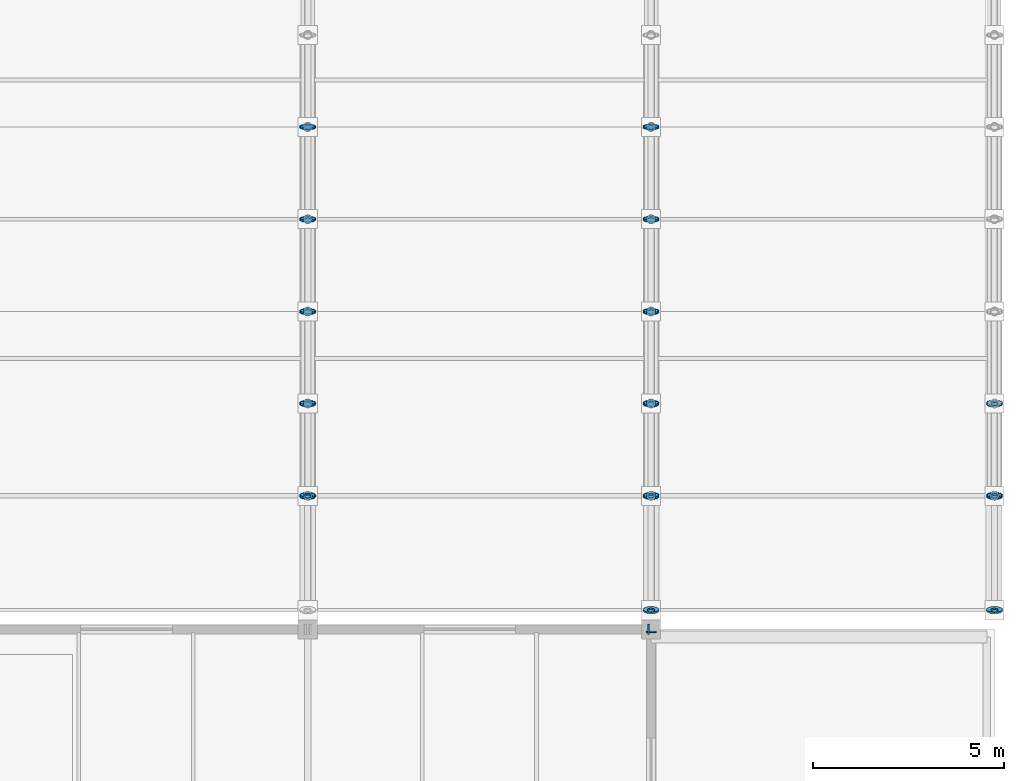
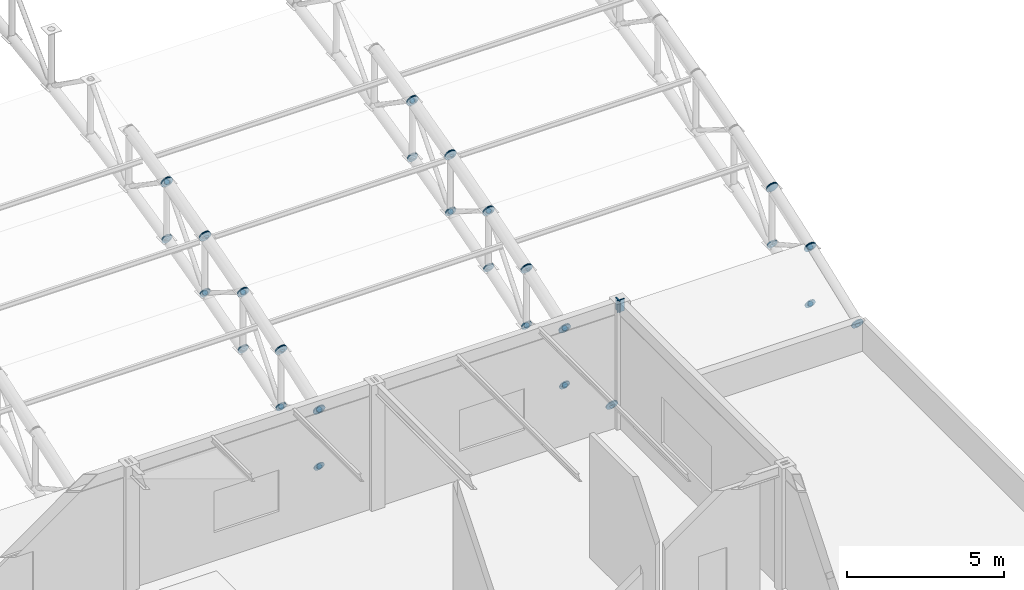
# One storey, part 152 of 195: 95 discrete accessories.
"""IFC4 building model written with IfcOpenShell, lengths in metres."""

from ifc_helpers import new_model, si_unit, direction, frame, origin, origin_2d, place, context, subcontext, project, spatial, rectangle, circle, extrude, material, element, save


model = new_model("IFC4")

# Units and contexts
model_context = context("Model", 3, precision=1e-05, world=origin(), true_north=direction((0.0, 1.0)))
body_context = subcontext(model_context, "Body", "Model", "MODEL_VIEW")
ifc_project = project(units=[si_unit("LENGTHUNIT", "METRE"), si_unit("AREAUNIT", "SQUARE_METRE"), si_unit("VOLUMEUNIT", "CUBIC_METRE"), si_unit("PLANEANGLEUNIT", "RADIAN"), si_unit("MASSUNIT", "GRAM", prefix="KILO")], contexts=[model_context])

# Site, building, storey
site_placement = place(None, origin())
site = spatial("IfcSite", under=ifc_project, at=site_placement, CompositionType="ELEMENT")
building_placement = place(site_placement, origin())
building = spatial("IfcBuilding", under=site, at=building_placement, Name="Marlcrest Central Station", CompositionType="ELEMENT")
storey_placement = place(building_placement, frame((0.0, 0.0, 9.800048828125)))
storey = spatial("IfcBuildingStorey", under=building, at=storey_placement, Name="L02", CompositionType="ELEMENT", Elevation=9.800048828125)

# Discrete accessories
ifc_material = material(Name="Steel S355", Category="steel")
for number, where, z_axis, x_axis, name in (
    (1, (206.9150390625, 33.0, 4.64501953125), (1.0, 0.0, 0.0), (0.0, 1.0, 0.0), "endcap-bm-SP-02-L02-00978-e"),
    (2, (207.0, 32.9150390625, 4.64501953125), (0.0, 1.0, 0.0), (-1.0, 0.0, 0.0), "endcap-bm-SP-02-L02-00999-e"),
):
    element("IfcDiscreteAccessory", number, at=place(storey_placement, frame(where, z_axis=z_axis, x_axis=x_axis)), inside=storey, material=ifc_material, Name=name, ObjectType="END_CAP_PLATE", PredefinedType="BRACKET", context=body_context, shape_type="SweptSolid", body=[
        extrude(rectangle(XDim=0.26611328125, YDim=0.466064453125, at=origin_2d()), origin(), (0.0, 0.0, 1.0), 0.0400390625),
    ])
discrete_accessory_1_placement = place(storey_placement, frame((198.0, 36.4765625, 1.5908203125), z_axis=(0.0, 0.933324071143, 0.359035065453), x_axis=(-1.0, 0.0, 0.0)))
element("IfcDiscreteAccessory", 3, at=discrete_accessory_1_placement, inside=storey, material=ifc_material, Name="endcap-mem-AC-01-L02-01786-e", ObjectType="END_CAP_PLATE", PredefinedType="BRACKET", context=body_context, shape_type="SweptSolid", body=[
    extrude(circle(Radius=0.211181640625, at=origin_2d()), origin(), (0.0, 0.0, 1.0), 0.0400390625),
])
discrete_accessory_2_placement = place(storey_placement, frame((198.0, 36.51416015625, -0.60498046875), z_axis=(0.0, -0.944260188635, 0.329200085296), x_axis=(1.0, 0.0, 0.0)))
element("IfcDiscreteAccessory", 4, at=discrete_accessory_2_placement, inside=storey, material=ifc_material, Name="endcap-mem-AD-01-L02-01787-s", ObjectType="END_CAP_PLATE", PredefinedType="BRACKET", context=body_context, shape_type="SweptSolid", body=[
    extrude(circle(Radius=0.092041015625, at=origin_2d()), origin(), (0.0, 0.0, 1.0), 0.0400390625),
])
for number, where, z_axis, x_axis, name in (
    (5, (198.0, 36.48583984375, 1.594970703125), (0.0, 0.94353735649, 0.331266142109), (-1.0, 0.0, 0.0), "endcap-mem-AC-01-L02-01788-s"),
    (6, (198.0, 38.896240234375, 2.441162109375), (0.0, 0.94353735649, 0.331266142109), (-1.0, 0.0, 0.0), "endcap-mem-AC-01-L02-01788-e"),
):
    element("IfcDiscreteAccessory", number, at=place(storey_placement, frame(where, z_axis=z_axis, x_axis=x_axis)), inside=storey, material=ifc_material, Name=name, ObjectType="END_CAP_PLATE", PredefinedType="BRACKET", context=body_context, shape_type="SweptSolid", body=[
        extrude(circle(Radius=0.211181640625, at=origin_2d()), origin(), (0.0, 0.0, 1.0), 0.0400390625),
    ])
for number, where, z_axis, x_axis, name in (
    (7, (198.0, 36.48583984375, -0.60498046875), (0.0, 0.94353735649, 0.331266142109), (-1.0, 0.0, 0.0), "endcap-mem-AC-02-L02-01789-s"),
    (8, (198.0, 38.896240234375, 0.2412109375), (0.0, 0.94353735649, 0.331266142109), (-1.0, 0.0, 0.0), "endcap-mem-AC-02-L02-01789-e"),
):
    element("IfcDiscreteAccessory", number, at=place(storey_placement, frame(where, z_axis=z_axis, x_axis=x_axis)), inside=storey, material=ifc_material, Name=name, ObjectType="END_CAP_PLATE", PredefinedType="BRACKET", context=body_context, shape_type="SweptSolid", body=[
        extrude(circle(Radius=0.185791015625, at=origin_2d()), origin(), (0.0, 0.0, 1.0), 0.0400390625),
    ])
for number, where, z_axis, x_axis, name in (
    (9, (198.0, 36.5, -0.614990234375), (0.0, 0.0, 1.0), (1.0, 0.0, 0.0), "endcap-mem-AP-01-L02-01790-s"),
    (10, (198.0, 36.5, 1.574951171875), (0.0, 0.0, 1.0), (1.0, 0.0, 0.0), "endcap-mem-AP-01-L02-01790-e"),
):
    element("IfcDiscreteAccessory", number, at=place(storey_placement, frame(where, z_axis=z_axis, x_axis=x_axis)), inside=storey, material=ifc_material, Name=name, ObjectType="END_CAP_PLATE", PredefinedType="BRACKET", context=body_context, shape_type="SweptSolid", body=[
        extrude(circle(Radius=0.117431640625, at=origin_2d()), origin(), (0.0, 0.0, 1.0), 0.0400390625),
    ])
for number, where, z_axis, x_axis, name in (
    (11, (198.0, 36.48681640625, 1.607177734375), (0.0, 0.873245653167, -0.487280236851), (-1.0, 0.0, 0.0), "endcap-mem-AD-01-L02-01791-s"),
    (12, (198.0, 38.898193359375, 0.26171875), (0.0, 0.873245653167, -0.487280236851), (-1.0, 0.0, 0.0), "endcap-mem-AD-01-L02-01791-e"),
):
    element("IfcDiscreteAccessory", number, at=place(storey_placement, frame(where, z_axis=z_axis, x_axis=x_axis)), inside=storey, material=ifc_material, Name=name, ObjectType="END_CAP_PLATE", PredefinedType="BRACKET", context=body_context, shape_type="SweptSolid", body=[
        extrude(circle(Radius=0.092041015625, at=origin_2d()), origin(), (0.0, 0.0, 1.0), 0.0400390625),
    ])
for number, where, z_axis, x_axis, name in (
    (13, (198.0, 38.90576171875, 2.44482421875), (0.0, 0.952116828449, 0.305734435391), (-1.0, 0.0, 0.0), "endcap-mem-AC-01-L02-01792-s"),
    (14, (198.0, 41.306396484375, 3.2158203125), (0.0, 0.952116828449, 0.305734435391), (-1.0, 0.0, 0.0), "endcap-mem-AC-01-L02-01792-e"),
):
    element("IfcDiscreteAccessory", number, at=place(storey_placement, frame(where, z_axis=z_axis, x_axis=x_axis)), inside=storey, material=ifc_material, Name=name, ObjectType="END_CAP_PLATE", PredefinedType="BRACKET", context=body_context, shape_type="SweptSolid", body=[
        extrude(circle(Radius=0.211181640625, at=origin_2d()), origin(), (0.0, 0.0, 1.0), 0.0400390625),
    ])
for number, where, z_axis, x_axis, name in (
    (15, (198.0, 38.90576171875, 0.244873046875), (0.0, 0.952116828449, 0.305734435391), (-1.0, 0.0, 0.0), "endcap-mem-AC-02-L02-01793-s"),
    (16, (198.0, 41.306396484375, 1.015869140625), (0.0, 0.952116828449, 0.305734435391), (-1.0, 0.0, 0.0), "endcap-mem-AC-02-L02-01793-e"),
):
    element("IfcDiscreteAccessory", number, at=place(storey_placement, frame(where, z_axis=z_axis, x_axis=x_axis)), inside=storey, material=ifc_material, Name=name, ObjectType="END_CAP_PLATE", PredefinedType="BRACKET", context=body_context, shape_type="SweptSolid", body=[
        extrude(circle(Radius=0.185791015625, at=origin_2d()), origin(), (0.0, 0.0, 1.0), 0.0400390625),
    ])
for number, where, z_axis, x_axis, name in (
    (17, (198.0, 38.919921875, 0.234619140625), (0.0, 0.0, 1.0), (1.0, 0.0, 0.0), "endcap-mem-AP-01-L02-01794-s"),
    (18, (198.0, 38.919921875, 2.424560546875), (0.0, 0.0, 1.0), (1.0, 0.0, 0.0), "endcap-mem-AP-01-L02-01794-e"),
):
    element("IfcDiscreteAccessory", number, at=place(storey_placement, frame(where, z_axis=z_axis, x_axis=x_axis)), inside=storey, material=ifc_material, Name=name, ObjectType="END_CAP_PLATE", PredefinedType="BRACKET", context=body_context, shape_type="SweptSolid", body=[
        extrude(circle(Radius=0.117431640625, at=origin_2d()), origin(), (0.0, 0.0, 1.0), 0.0400390625),
    ])
for number, where, z_axis, x_axis, name in (
    (19, (198.0, 38.910400390625, 0.23779296875), (0.0, 0.62962929743, 0.776895712318), (-1.0, 0.0, 0.0), "endcap-mem-AD-01-L02-01795-s"),
    (20, (198.0, 41.314453125, 3.203857421875), (0.0, 0.62962929743, 0.776895712318), (-1.0, 0.0, 0.0), "endcap-mem-AD-01-L02-01795-e"),
):
    element("IfcDiscreteAccessory", number, at=place(storey_placement, frame(where, z_axis=z_axis, x_axis=x_axis)), inside=storey, material=ifc_material, Name=name, ObjectType="END_CAP_PLATE", PredefinedType="BRACKET", context=body_context, shape_type="SweptSolid", body=[
        extrude(circle(Radius=0.092041015625, at=origin_2d()), origin(), (0.0, 0.0, 1.0), 0.0400390625),
    ])
for number, where, z_axis, x_axis, name in (
    (21, (198.0, 41.315673828125, 3.21923828125), (0.0, 0.960130083362, 0.27955361386), (-1.0, 0.0, 0.0), "endcap-mem-AC-01-L02-01796-s"),
    (22, (198.0, 43.72607421875, 3.9208984375), (0.0, 0.960130083362, 0.27955361386), (-1.0, 0.0, 0.0), "endcap-mem-AC-01-L02-01796-e"),
):
    element("IfcDiscreteAccessory", number, at=place(storey_placement, frame(where, z_axis=z_axis, x_axis=x_axis)), inside=storey, material=ifc_material, Name=name, ObjectType="END_CAP_PLATE", PredefinedType="BRACKET", context=body_context, shape_type="SweptSolid", body=[
        extrude(circle(Radius=0.211181640625, at=origin_2d()), origin(), (0.0, 0.0, 1.0), 0.0400390625),
    ])
for number, where, z_axis, x_axis, name in (
    (23, (198.0, 41.315673828125, 1.019287109375), (0.0, 0.960130083362, 0.27955361386), (-1.0, 0.0, 0.0), "endcap-mem-AC-02-L02-01797-s"),
    (24, (198.0, 43.72607421875, 1.720947265625), (0.0, 0.960130083362, 0.27955361386), (-1.0, 0.0, 0.0), "endcap-mem-AC-02-L02-01797-e"),
):
    element("IfcDiscreteAccessory", number, at=place(storey_placement, frame(where, z_axis=z_axis, x_axis=x_axis)), inside=storey, material=ifc_material, Name=name, ObjectType="END_CAP_PLATE", PredefinedType="BRACKET", context=body_context, shape_type="SweptSolid", body=[
        extrude(circle(Radius=0.185791015625, at=origin_2d()), origin(), (0.0, 0.0, 1.0), 0.0400390625),
    ])
for number, where, z_axis, x_axis, name in (
    (25, (198.0, 41.330078125, 1.008544921875), (0.0, 0.0, 1.0), (1.0, 0.0, 0.0), "endcap-mem-AP-01-L02-01798-s"),
    (26, (198.0, 41.330078125, 3.198486328125), (0.0, 0.0, 1.0), (1.0, 0.0, 0.0), "endcap-mem-AP-01-L02-01798-e"),
):
    element("IfcDiscreteAccessory", number, at=place(storey_placement, frame(where, z_axis=z_axis, x_axis=x_axis)), inside=storey, material=ifc_material, Name=name, ObjectType="END_CAP_PLATE", PredefinedType="BRACKET", context=body_context, shape_type="SweptSolid", body=[
        extrude(circle(Radius=0.117431640625, at=origin_2d()), origin(), (0.0, 0.0, 1.0), 0.0400390625),
    ])
for number, where, z_axis, x_axis, name in (
    (27, (198.0, 41.3173828125, 3.231201171875), (0.0, 0.850687380038, -0.525671933286), (-1.0, 0.0, 0.0), "endcap-mem-AD-01-L02-01799-s"),
    (28, (198.0, 43.728759765625, 1.7412109375), (0.0, 0.850687380038, -0.525671933286), (-1.0, 0.0, 0.0), "endcap-mem-AD-01-L02-01799-e"),
):
    element("IfcDiscreteAccessory", number, at=place(storey_placement, frame(where, z_axis=z_axis, x_axis=x_axis)), inside=storey, material=ifc_material, Name=name, ObjectType="END_CAP_PLATE", PredefinedType="BRACKET", context=body_context, shape_type="SweptSolid", body=[
        extrude(circle(Radius=0.092041015625, at=origin_2d()), origin(), (0.0, 0.0, 1.0), 0.0400390625),
    ])
for number, where, z_axis, x_axis, name in (
    (29, (198.0, 43.735595703125, 3.924072265625), (0.0, 0.967539481681, 0.252719906989), (-1.0, 0.0, 0.0), "endcap-mem-AC-01-L02-01800-s"),
    (30, (198.0, 46.145751953125, 4.5537109375), (0.0, 0.967539481681, 0.252719906989), (-1.0, 0.0, 0.0), "endcap-mem-AC-01-L02-01800-e"),
):
    element("IfcDiscreteAccessory", number, at=place(storey_placement, frame(where, z_axis=z_axis, x_axis=x_axis)), inside=storey, material=ifc_material, Name=name, ObjectType="END_CAP_PLATE", PredefinedType="BRACKET", context=body_context, shape_type="SweptSolid", body=[
        extrude(circle(Radius=0.211181640625, at=origin_2d()), origin(), (0.0, 0.0, 1.0), 0.0400390625),
    ])
for number, where, z_axis, x_axis, name in (
    (31, (198.0, 43.735595703125, 1.72412109375), (0.0, 0.967563345928, 0.252628524946), (-1.0, 0.0, 0.0), "endcap-mem-AC-02-L02-01801-s"),
    (32, (198.0, 46.145751953125, 2.353515625), (0.0, 0.967563345928, 0.252628524946), (-1.0, 0.0, 0.0), "endcap-mem-AC-02-L02-01801-e"),
):
    element("IfcDiscreteAccessory", number, at=place(storey_placement, frame(where, z_axis=z_axis, x_axis=x_axis)), inside=storey, material=ifc_material, Name=name, ObjectType="END_CAP_PLATE", PredefinedType="BRACKET", context=body_context, shape_type="SweptSolid", body=[
        extrude(circle(Radius=0.185791015625, at=origin_2d()), origin(), (0.0, 0.0, 1.0), 0.0400390625),
    ])
for number, where, z_axis, x_axis, name in (
    (33, (198.0, 43.75, 1.713134765625), (0.0, 0.0, 1.0), (1.0, 0.0, 0.0), "endcap-mem-AP-01-L02-01802-s"),
    (34, (198.0, 43.75, 3.903076171875), (0.0, 0.0, 1.0), (1.0, 0.0, 0.0), "endcap-mem-AP-01-L02-01802-e"),
):
    element("IfcDiscreteAccessory", number, at=place(storey_placement, frame(where, z_axis=z_axis, x_axis=x_axis)), inside=storey, material=ifc_material, Name=name, ObjectType="END_CAP_PLATE", PredefinedType="BRACKET", context=body_context, shape_type="SweptSolid", body=[
        extrude(circle(Radius=0.117431640625, at=origin_2d()), origin(), (0.0, 0.0, 1.0), 0.0400390625),
    ])
for number, where, z_axis, x_axis, name in (
    (35, (198.0, 43.740234375, 1.716552734375), (0.0, 0.649624779144, 0.760254987699), (-1.0, 0.0, 0.0), "endcap-mem-AD-01-L02-01803-s"),
    (36, (198.0, 46.153564453125, 4.541015625), (0.0, 0.649624779144, 0.760254987699), (-1.0, 0.0, 0.0), "endcap-mem-AD-01-L02-01803-e"),
):
    element("IfcDiscreteAccessory", number, at=place(storey_placement, frame(where, z_axis=z_axis, x_axis=x_axis)), inside=storey, material=ifc_material, Name=name, ObjectType="END_CAP_PLATE", PredefinedType="BRACKET", context=body_context, shape_type="SweptSolid", body=[
        extrude(circle(Radius=0.092041015625, at=origin_2d()), origin(), (0.0, 0.0, 1.0), 0.0400390625),
    ])
discrete_accessory_3_placement = place(storey_placement, frame((198.0, 46.1552734375, 4.556640625), z_axis=(0.0, 0.974329612642, 0.225126200004), x_axis=(-1.0, 0.0, 0.0)))
element("IfcDiscreteAccessory", 37, at=discrete_accessory_3_placement, inside=storey, material=ifc_material, Name="endcap-mem-AC-01-L02-01804-s", ObjectType="END_CAP_PLATE", PredefinedType="BRACKET", context=body_context, shape_type="SweptSolid", body=[
    extrude(circle(Radius=0.211181640625, at=origin_2d()), origin(), (0.0, 0.0, 1.0), 0.0400390625),
])
discrete_accessory_4_placement = place(storey_placement, frame((198.0, 46.1552734375, 2.3564453125), z_axis=(0.0, 0.974307959875, 0.225219891049), x_axis=(-1.0, 0.0, 0.0)))
element("IfcDiscreteAccessory", 38, at=discrete_accessory_4_placement, inside=storey, material=ifc_material, Name="endcap-mem-AC-02-L02-01805-s", ObjectType="END_CAP_PLATE", PredefinedType="BRACKET", context=body_context, shape_type="SweptSolid", body=[
    extrude(circle(Radius=0.185791015625, at=origin_2d()), origin(), (0.0, 0.0, 1.0), 0.0400390625),
])
for number, where, z_axis, x_axis, name in (
    (39, (198.0, 46.169921875, 2.344970703125), (0.0, 0.0, 1.0), (1.0, 0.0, 0.0), "endcap-mem-AP-01-L02-01806-s"),
    (40, (198.0, 46.169921875, 4.53515625), (0.0, 0.0, 1.0), (1.0, 0.0, 0.0), "endcap-mem-AP-01-L02-01806-e"),
):
    element("IfcDiscreteAccessory", number, at=place(storey_placement, frame(where, z_axis=z_axis, x_axis=x_axis)), inside=storey, material=ifc_material, Name=name, ObjectType="END_CAP_PLATE", PredefinedType="BRACKET", context=body_context, shape_type="SweptSolid", body=[
        extrude(circle(Radius=0.117431640625, at=origin_2d()), origin(), (0.0, 0.0, 1.0), 0.0400390625),
    ])
discrete_accessory_5_placement = place(storey_placement, frame((198.0, 46.157470703125, 4.568603515625), z_axis=(0.0, 0.82626275624, -0.563284881432), x_axis=(-1.0, 0.0, 0.0)))
element("IfcDiscreteAccessory", 41, at=discrete_accessory_5_placement, inside=storey, material=ifc_material, Name="endcap-mem-AD-01-L02-01807-s", ObjectType="END_CAP_PLATE", PredefinedType="BRACKET", context=body_context, shape_type="SweptSolid", body=[
    extrude(circle(Radius=0.092041015625, at=origin_2d()), origin(), (0.0, 0.0, 1.0), 0.0400390625),
])
for number, where, z_axis, x_axis, name in (
    (42, (207.0, 33.486083984375, 0.4404296875), (0.0, 0.933324071143, 0.359035065453), (-1.0, 0.0, 0.0), "endcap-mem-AC-01-L02-01902-s"),
    (43, (207.0, 36.4765625, 1.5908203125), (0.0, 0.933324071143, 0.359035065453), (-1.0, 0.0, 0.0), "endcap-mem-AC-01-L02-01902-e"),
):
    element("IfcDiscreteAccessory", number, at=place(storey_placement, frame(where, z_axis=z_axis, x_axis=x_axis)), inside=storey, material=ifc_material, Name=name, ObjectType="END_CAP_PLATE", PredefinedType="BRACKET", context=body_context, shape_type="SweptSolid", body=[
        extrude(circle(Radius=0.211181640625, at=origin_2d()), origin(), (0.0, 0.0, 1.0), 0.0400390625),
    ])
for number, where, z_axis, x_axis, name in (
    (44, (207.0, 36.51416015625, -0.60498046875), (0.0, -0.944260188635, 0.329200085296), (1.0, 0.0, 0.0), "endcap-mem-AD-01-L02-01903-s"),
    (45, (207.0, 33.523681640625, 0.4375), (0.0, -0.944260188635, 0.329200085296), (1.0, 0.0, 0.0), "endcap-mem-AD-01-L02-01903-e"),
):
    element("IfcDiscreteAccessory", number, at=place(storey_placement, frame(where, z_axis=z_axis, x_axis=x_axis)), inside=storey, material=ifc_material, Name=name, ObjectType="END_CAP_PLATE", PredefinedType="BRACKET", context=body_context, shape_type="SweptSolid", body=[
        extrude(circle(Radius=0.092041015625, at=origin_2d()), origin(), (0.0, 0.0, 1.0), 0.0400390625),
    ])
for number, where, z_axis, x_axis, name in (
    (46, (207.0, 36.48583984375, 1.594970703125), (0.0, 0.94353735649, 0.331266142109), (-1.0, 0.0, 0.0), "endcap-mem-AC-01-L02-01904-s"),
    (47, (207.0, 38.896240234375, 2.441162109375), (0.0, 0.94353735649, 0.331266142109), (-1.0, 0.0, 0.0), "endcap-mem-AC-01-L02-01904-e"),
):
    element("IfcDiscreteAccessory", number, at=place(storey_placement, frame(where, z_axis=z_axis, x_axis=x_axis)), inside=storey, material=ifc_material, Name=name, ObjectType="END_CAP_PLATE", PredefinedType="BRACKET", context=body_context, shape_type="SweptSolid", body=[
        extrude(circle(Radius=0.211181640625, at=origin_2d()), origin(), (0.0, 0.0, 1.0), 0.0400390625),
    ])
for number, where, z_axis, x_axis, name in (
    (48, (207.0, 36.48583984375, -0.60498046875), (0.0, 0.94353735649, 0.331266142109), (-1.0, 0.0, 0.0), "endcap-mem-AC-02-L02-01905-s"),
    (49, (207.0, 38.896240234375, 0.2412109375), (0.0, 0.94353735649, 0.331266142109), (-1.0, 0.0, 0.0), "endcap-mem-AC-02-L02-01905-e"),
):
    element("IfcDiscreteAccessory", number, at=place(storey_placement, frame(where, z_axis=z_axis, x_axis=x_axis)), inside=storey, material=ifc_material, Name=name, ObjectType="END_CAP_PLATE", PredefinedType="BRACKET", context=body_context, shape_type="SweptSolid", body=[
        extrude(circle(Radius=0.185791015625, at=origin_2d()), origin(), (0.0, 0.0, 1.0), 0.0400390625),
    ])
for number, where, z_axis, x_axis, name in (
    (50, (207.0, 36.5, -0.614990234375), (0.0, 0.0, 1.0), (1.0, 0.0, 0.0), "endcap-mem-AP-01-L02-01906-s"),
    (51, (207.0, 36.5, 1.574951171875), (0.0, 0.0, 1.0), (1.0, 0.0, 0.0), "endcap-mem-AP-01-L02-01906-e"),
):
    element("IfcDiscreteAccessory", number, at=place(storey_placement, frame(where, z_axis=z_axis, x_axis=x_axis)), inside=storey, material=ifc_material, Name=name, ObjectType="END_CAP_PLATE", PredefinedType="BRACKET", context=body_context, shape_type="SweptSolid", body=[
        extrude(circle(Radius=0.117431640625, at=origin_2d()), origin(), (0.0, 0.0, 1.0), 0.0400390625),
    ])
for number, where, z_axis, x_axis, name in (
    (52, (207.0, 36.48681640625, 1.607177734375), (0.0, 0.873245653167, -0.487280236851), (-1.0, 0.0, 0.0), "endcap-mem-AD-01-L02-01907-s"),
    (53, (207.0, 38.898193359375, 0.26171875), (0.0, 0.873245653167, -0.487280236851), (-1.0, 0.0, 0.0), "endcap-mem-AD-01-L02-01907-e"),
):
    element("IfcDiscreteAccessory", number, at=place(storey_placement, frame(where, z_axis=z_axis, x_axis=x_axis)), inside=storey, material=ifc_material, Name=name, ObjectType="END_CAP_PLATE", PredefinedType="BRACKET", context=body_context, shape_type="SweptSolid", body=[
        extrude(circle(Radius=0.092041015625, at=origin_2d()), origin(), (0.0, 0.0, 1.0), 0.0400390625),
    ])
for number, where, z_axis, x_axis, name in (
    (54, (207.0, 38.90576171875, 2.44482421875), (0.0, 0.952116828449, 0.305734435391), (-1.0, 0.0, 0.0), "endcap-mem-AC-01-L02-01908-s"),
    (55, (207.0, 41.306396484375, 3.2158203125), (0.0, 0.952116828449, 0.305734435391), (-1.0, 0.0, 0.0), "endcap-mem-AC-01-L02-01908-e"),
):
    element("IfcDiscreteAccessory", number, at=place(storey_placement, frame(where, z_axis=z_axis, x_axis=x_axis)), inside=storey, material=ifc_material, Name=name, ObjectType="END_CAP_PLATE", PredefinedType="BRACKET", context=body_context, shape_type="SweptSolid", body=[
        extrude(circle(Radius=0.211181640625, at=origin_2d()), origin(), (0.0, 0.0, 1.0), 0.0400390625),
    ])
for number, where, z_axis, x_axis, name in (
    (56, (207.0, 38.90576171875, 0.244873046875), (0.0, 0.952116828449, 0.305734435391), (-1.0, 0.0, 0.0), "endcap-mem-AC-02-L02-01909-s"),
    (57, (207.0, 41.306396484375, 1.015869140625), (0.0, 0.952116828449, 0.305734435391), (-1.0, 0.0, 0.0), "endcap-mem-AC-02-L02-01909-e"),
):
    element("IfcDiscreteAccessory", number, at=place(storey_placement, frame(where, z_axis=z_axis, x_axis=x_axis)), inside=storey, material=ifc_material, Name=name, ObjectType="END_CAP_PLATE", PredefinedType="BRACKET", context=body_context, shape_type="SweptSolid", body=[
        extrude(circle(Radius=0.185791015625, at=origin_2d()), origin(), (0.0, 0.0, 1.0), 0.0400390625),
    ])
for number, where, z_axis, x_axis, name in (
    (58, (207.0, 38.919921875, 0.234619140625), (0.0, 0.0, 1.0), (1.0, 0.0, 0.0), "endcap-mem-AP-01-L02-01910-s"),
    (59, (207.0, 38.919921875, 2.424560546875), (0.0, 0.0, 1.0), (1.0, 0.0, 0.0), "endcap-mem-AP-01-L02-01910-e"),
):
    element("IfcDiscreteAccessory", number, at=place(storey_placement, frame(where, z_axis=z_axis, x_axis=x_axis)), inside=storey, material=ifc_material, Name=name, ObjectType="END_CAP_PLATE", PredefinedType="BRACKET", context=body_context, shape_type="SweptSolid", body=[
        extrude(circle(Radius=0.117431640625, at=origin_2d()), origin(), (0.0, 0.0, 1.0), 0.0400390625),
    ])
for number, where, z_axis, x_axis, name in (
    (60, (207.0, 38.910400390625, 0.23779296875), (0.0, 0.62962929743, 0.776895712318), (-1.0, 0.0, 0.0), "endcap-mem-AD-01-L02-01911-s"),
    (61, (207.0, 41.314453125, 3.203857421875), (0.0, 0.62962929743, 0.776895712318), (-1.0, 0.0, 0.0), "endcap-mem-AD-01-L02-01911-e"),
):
    element("IfcDiscreteAccessory", number, at=place(storey_placement, frame(where, z_axis=z_axis, x_axis=x_axis)), inside=storey, material=ifc_material, Name=name, ObjectType="END_CAP_PLATE", PredefinedType="BRACKET", context=body_context, shape_type="SweptSolid", body=[
        extrude(circle(Radius=0.092041015625, at=origin_2d()), origin(), (0.0, 0.0, 1.0), 0.0400390625),
    ])
for number, where, z_axis, x_axis, name in (
    (62, (207.0, 41.315673828125, 3.21923828125), (0.0, 0.960130083362, 0.27955361386), (-1.0, 0.0, 0.0), "endcap-mem-AC-01-L02-01912-s"),
    (63, (207.0, 43.72607421875, 3.9208984375), (0.0, 0.960130083362, 0.27955361386), (-1.0, 0.0, 0.0), "endcap-mem-AC-01-L02-01912-e"),
):
    element("IfcDiscreteAccessory", number, at=place(storey_placement, frame(where, z_axis=z_axis, x_axis=x_axis)), inside=storey, material=ifc_material, Name=name, ObjectType="END_CAP_PLATE", PredefinedType="BRACKET", context=body_context, shape_type="SweptSolid", body=[
        extrude(circle(Radius=0.211181640625, at=origin_2d()), origin(), (0.0, 0.0, 1.0), 0.0400390625),
    ])
for number, where, z_axis, x_axis, name in (
    (64, (207.0, 41.315673828125, 1.019287109375), (0.0, 0.960130083362, 0.27955361386), (-1.0, 0.0, 0.0), "endcap-mem-AC-02-L02-01913-s"),
    (65, (207.0, 43.72607421875, 1.720947265625), (0.0, 0.960130083362, 0.27955361386), (-1.0, 0.0, 0.0), "endcap-mem-AC-02-L02-01913-e"),
):
    element("IfcDiscreteAccessory", number, at=place(storey_placement, frame(where, z_axis=z_axis, x_axis=x_axis)), inside=storey, material=ifc_material, Name=name, ObjectType="END_CAP_PLATE", PredefinedType="BRACKET", context=body_context, shape_type="SweptSolid", body=[
        extrude(circle(Radius=0.185791015625, at=origin_2d()), origin(), (0.0, 0.0, 1.0), 0.0400390625),
    ])
for number, where, z_axis, x_axis, name in (
    (66, (207.0, 41.330078125, 1.008544921875), (0.0, 0.0, 1.0), (1.0, 0.0, 0.0), "endcap-mem-AP-01-L02-01914-s"),
    (67, (207.0, 41.330078125, 3.198486328125), (0.0, 0.0, 1.0), (1.0, 0.0, 0.0), "endcap-mem-AP-01-L02-01914-e"),
):
    element("IfcDiscreteAccessory", number, at=place(storey_placement, frame(where, z_axis=z_axis, x_axis=x_axis)), inside=storey, material=ifc_material, Name=name, ObjectType="END_CAP_PLATE", PredefinedType="BRACKET", context=body_context, shape_type="SweptSolid", body=[
        extrude(circle(Radius=0.117431640625, at=origin_2d()), origin(), (0.0, 0.0, 1.0), 0.0400390625),
    ])
for number, where, z_axis, x_axis, name in (
    (68, (207.0, 41.3173828125, 3.231201171875), (0.0, 0.850687380038, -0.525671933286), (-1.0, 0.0, 0.0), "endcap-mem-AD-01-L02-01915-s"),
    (69, (207.0, 43.728759765625, 1.7412109375), (0.0, 0.850687380038, -0.525671933286), (-1.0, 0.0, 0.0), "endcap-mem-AD-01-L02-01915-e"),
):
    element("IfcDiscreteAccessory", number, at=place(storey_placement, frame(where, z_axis=z_axis, x_axis=x_axis)), inside=storey, material=ifc_material, Name=name, ObjectType="END_CAP_PLATE", PredefinedType="BRACKET", context=body_context, shape_type="SweptSolid", body=[
        extrude(circle(Radius=0.092041015625, at=origin_2d()), origin(), (0.0, 0.0, 1.0), 0.0400390625),
    ])
for number, where, z_axis, x_axis, name in (
    (70, (207.0, 43.735595703125, 3.924072265625), (0.0, 0.967539481681, 0.252719906989), (-1.0, 0.0, 0.0), "endcap-mem-AC-01-L02-01916-s"),
    (71, (207.0, 46.145751953125, 4.5537109375), (0.0, 0.967539481681, 0.252719906989), (-1.0, 0.0, 0.0), "endcap-mem-AC-01-L02-01916-e"),
):
    element("IfcDiscreteAccessory", number, at=place(storey_placement, frame(where, z_axis=z_axis, x_axis=x_axis)), inside=storey, material=ifc_material, Name=name, ObjectType="END_CAP_PLATE", PredefinedType="BRACKET", context=body_context, shape_type="SweptSolid", body=[
        extrude(circle(Radius=0.211181640625, at=origin_2d()), origin(), (0.0, 0.0, 1.0), 0.0400390625),
    ])
for number, where, z_axis, x_axis, name in (
    (72, (207.0, 43.735595703125, 1.72412109375), (0.0, 0.967563345928, 0.252628524946), (-1.0, 0.0, 0.0), "endcap-mem-AC-02-L02-01917-s"),
    (73, (207.0, 46.145751953125, 2.353515625), (0.0, 0.967563345928, 0.252628524946), (-1.0, 0.0, 0.0), "endcap-mem-AC-02-L02-01917-e"),
):
    element("IfcDiscreteAccessory", number, at=place(storey_placement, frame(where, z_axis=z_axis, x_axis=x_axis)), inside=storey, material=ifc_material, Name=name, ObjectType="END_CAP_PLATE", PredefinedType="BRACKET", context=body_context, shape_type="SweptSolid", body=[
        extrude(circle(Radius=0.185791015625, at=origin_2d()), origin(), (0.0, 0.0, 1.0), 0.0400390625),
    ])
for number, where, z_axis, x_axis, name in (
    (74, (207.0, 43.75, 1.713134765625), (0.0, 0.0, 1.0), (1.0, 0.0, 0.0), "endcap-mem-AP-01-L02-01918-s"),
    (75, (207.0, 43.75, 3.903076171875), (0.0, 0.0, 1.0), (1.0, 0.0, 0.0), "endcap-mem-AP-01-L02-01918-e"),
):
    element("IfcDiscreteAccessory", number, at=place(storey_placement, frame(where, z_axis=z_axis, x_axis=x_axis)), inside=storey, material=ifc_material, Name=name, ObjectType="END_CAP_PLATE", PredefinedType="BRACKET", context=body_context, shape_type="SweptSolid", body=[
        extrude(circle(Radius=0.117431640625, at=origin_2d()), origin(), (0.0, 0.0, 1.0), 0.0400390625),
    ])
for number, where, z_axis, x_axis, name in (
    (76, (207.0, 43.740234375, 1.716552734375), (0.0, 0.649624779144, 0.760254987699), (-1.0, 0.0, 0.0), "endcap-mem-AD-01-L02-01919-s"),
    (77, (207.0, 46.153564453125, 4.541015625), (0.0, 0.649624779144, 0.760254987699), (-1.0, 0.0, 0.0), "endcap-mem-AD-01-L02-01919-e"),
):
    element("IfcDiscreteAccessory", number, at=place(storey_placement, frame(where, z_axis=z_axis, x_axis=x_axis)), inside=storey, material=ifc_material, Name=name, ObjectType="END_CAP_PLATE", PredefinedType="BRACKET", context=body_context, shape_type="SweptSolid", body=[
        extrude(circle(Radius=0.092041015625, at=origin_2d()), origin(), (0.0, 0.0, 1.0), 0.0400390625),
    ])
discrete_accessory_6_placement = place(storey_placement, frame((207.0, 46.1552734375, 4.556640625), z_axis=(0.0, 0.974329612642, 0.225126200004), x_axis=(-1.0, 0.0, 0.0)))
element("IfcDiscreteAccessory", 78, at=discrete_accessory_6_placement, inside=storey, material=ifc_material, Name="endcap-mem-AC-01-L02-01920-s", ObjectType="END_CAP_PLATE", PredefinedType="BRACKET", context=body_context, shape_type="SweptSolid", body=[
    extrude(circle(Radius=0.211181640625, at=origin_2d()), origin(), (0.0, 0.0, 1.0), 0.0400390625),
])
discrete_accessory_7_placement = place(storey_placement, frame((207.0, 46.1552734375, 2.3564453125), z_axis=(0.0, 0.974307959875, 0.225219891049), x_axis=(-1.0, 0.0, 0.0)))
element("IfcDiscreteAccessory", 79, at=discrete_accessory_7_placement, inside=storey, material=ifc_material, Name="endcap-mem-AC-02-L02-01921-s", ObjectType="END_CAP_PLATE", PredefinedType="BRACKET", context=body_context, shape_type="SweptSolid", body=[
    extrude(circle(Radius=0.185791015625, at=origin_2d()), origin(), (0.0, 0.0, 1.0), 0.0400390625),
])
for number, where, z_axis, x_axis, name in (
    (80, (207.0, 46.169921875, 2.344970703125), (0.0, 0.0, 1.0), (1.0, 0.0, 0.0), "endcap-mem-AP-01-L02-01922-s"),
    (81, (207.0, 46.169921875, 4.53515625), (0.0, 0.0, 1.0), (1.0, 0.0, 0.0), "endcap-mem-AP-01-L02-01922-e"),
):
    element("IfcDiscreteAccessory", number, at=place(storey_placement, frame(where, z_axis=z_axis, x_axis=x_axis)), inside=storey, material=ifc_material, Name=name, ObjectType="END_CAP_PLATE", PredefinedType="BRACKET", context=body_context, shape_type="SweptSolid", body=[
        extrude(circle(Radius=0.117431640625, at=origin_2d()), origin(), (0.0, 0.0, 1.0), 0.0400390625),
    ])
discrete_accessory_8_placement = place(storey_placement, frame((207.0, 46.157470703125, 4.568603515625), z_axis=(0.0, 0.82626275624, -0.563284881432), x_axis=(-1.0, 0.0, 0.0)))
element("IfcDiscreteAccessory", 82, at=discrete_accessory_8_placement, inside=storey, material=ifc_material, Name="endcap-mem-AD-01-L02-01923-s", ObjectType="END_CAP_PLATE", PredefinedType="BRACKET", context=body_context, shape_type="SweptSolid", body=[
    extrude(circle(Radius=0.092041015625, at=origin_2d()), origin(), (0.0, 0.0, 1.0), 0.0400390625),
])
for number, where, z_axis, x_axis, name in (
    (83, (216.0, 33.486083984375, 0.4404296875), (0.0, 0.933324071143, 0.359035065453), (-1.0, 0.0, 0.0), "endcap-mem-AC-01-L02-02018-s"),
    (84, (216.0, 36.4765625, 1.5908203125), (0.0, 0.933324071143, 0.359035065453), (-1.0, 0.0, 0.0), "endcap-mem-AC-01-L02-02018-e"),
):
    element("IfcDiscreteAccessory", number, at=place(storey_placement, frame(where, z_axis=z_axis, x_axis=x_axis)), inside=storey, material=ifc_material, Name=name, ObjectType="END_CAP_PLATE", PredefinedType="BRACKET", context=body_context, shape_type="SweptSolid", body=[
        extrude(circle(Radius=0.211181640625, at=origin_2d()), origin(), (0.0, 0.0, 1.0), 0.0400390625),
    ])
for number, where, z_axis, x_axis, name in (
    (85, (216.0, 36.51416015625, -0.60498046875), (0.0, -0.944260188635, 0.329200085296), (1.0, 0.0, 0.0), "endcap-mem-AD-01-L02-02019-s"),
    (86, (216.0, 33.523681640625, 0.4375), (0.0, -0.944260188635, 0.329200085296), (1.0, 0.0, 0.0), "endcap-mem-AD-01-L02-02019-e"),
):
    element("IfcDiscreteAccessory", number, at=place(storey_placement, frame(where, z_axis=z_axis, x_axis=x_axis)), inside=storey, material=ifc_material, Name=name, ObjectType="END_CAP_PLATE", PredefinedType="BRACKET", context=body_context, shape_type="SweptSolid", body=[
        extrude(circle(Radius=0.092041015625, at=origin_2d()), origin(), (0.0, 0.0, 1.0), 0.0400390625),
    ])
for number, where, z_axis, x_axis, name in (
    (87, (216.0, 36.48583984375, 1.594970703125), (0.0, 0.94353735649, 0.331266142109), (-1.0, 0.0, 0.0), "endcap-mem-AC-01-L02-02020-s"),
    (88, (216.0, 38.896240234375, 2.441162109375), (0.0, 0.94353735649, 0.331266142109), (-1.0, 0.0, 0.0), "endcap-mem-AC-01-L02-02020-e"),
):
    element("IfcDiscreteAccessory", number, at=place(storey_placement, frame(where, z_axis=z_axis, x_axis=x_axis)), inside=storey, material=ifc_material, Name=name, ObjectType="END_CAP_PLATE", PredefinedType="BRACKET", context=body_context, shape_type="SweptSolid", body=[
        extrude(circle(Radius=0.211181640625, at=origin_2d()), origin(), (0.0, 0.0, 1.0), 0.0400390625),
    ])
for number, where, z_axis, x_axis, name in (
    (89, (216.0, 36.48583984375, -0.60498046875), (0.0, 0.94353735649, 0.331266142109), (-1.0, 0.0, 0.0), "endcap-mem-AC-02-L02-02021-s"),
    (90, (216.0, 38.896240234375, 0.2412109375), (0.0, 0.94353735649, 0.331266142109), (-1.0, 0.0, 0.0), "endcap-mem-AC-02-L02-02021-e"),
):
    element("IfcDiscreteAccessory", number, at=place(storey_placement, frame(where, z_axis=z_axis, x_axis=x_axis)), inside=storey, material=ifc_material, Name=name, ObjectType="END_CAP_PLATE", PredefinedType="BRACKET", context=body_context, shape_type="SweptSolid", body=[
        extrude(circle(Radius=0.185791015625, at=origin_2d()), origin(), (0.0, 0.0, 1.0), 0.0400390625),
    ])
for number, where, z_axis, x_axis, name in (
    (91, (216.0, 36.5, -0.614990234375), (0.0, 0.0, 1.0), (1.0, 0.0, 0.0), "endcap-mem-AP-01-L02-02022-s"),
    (92, (216.0, 36.5, 1.574951171875), (0.0, 0.0, 1.0), (1.0, 0.0, 0.0), "endcap-mem-AP-01-L02-02022-e"),
):
    element("IfcDiscreteAccessory", number, at=place(storey_placement, frame(where, z_axis=z_axis, x_axis=x_axis)), inside=storey, material=ifc_material, Name=name, ObjectType="END_CAP_PLATE", PredefinedType="BRACKET", context=body_context, shape_type="SweptSolid", body=[
        extrude(circle(Radius=0.117431640625, at=origin_2d()), origin(), (0.0, 0.0, 1.0), 0.0400390625),
    ])
for number, where, z_axis, x_axis, name in (
    (93, (216.0, 36.48681640625, 1.607177734375), (0.0, 0.873245653167, -0.487280236851), (-1.0, 0.0, 0.0), "endcap-mem-AD-01-L02-02023-s"),
    (94, (216.0, 38.898193359375, 0.26171875), (0.0, 0.873245653167, -0.487280236851), (-1.0, 0.0, 0.0), "endcap-mem-AD-01-L02-02023-e"),
):
    element("IfcDiscreteAccessory", number, at=place(storey_placement, frame(where, z_axis=z_axis, x_axis=x_axis)), inside=storey, material=ifc_material, Name=name, ObjectType="END_CAP_PLATE", PredefinedType="BRACKET", context=body_context, shape_type="SweptSolid", body=[
        extrude(circle(Radius=0.092041015625, at=origin_2d()), origin(), (0.0, 0.0, 1.0), 0.0400390625),
    ])
discrete_accessory_9_placement = place(storey_placement, frame((216.0, 38.90576171875, 2.44482421875), z_axis=(0.0, 0.952116828449, 0.305734435391), x_axis=(-1.0, 0.0, 0.0)))
element("IfcDiscreteAccessory", 95, at=discrete_accessory_9_placement, inside=storey, material=ifc_material, Name="endcap-mem-AC-01-L02-02024-s", ObjectType="END_CAP_PLATE", PredefinedType="BRACKET", context=body_context, shape_type="SweptSolid", body=[
    extrude(circle(Radius=0.211181640625, at=origin_2d()), origin(), (0.0, 0.0, 1.0), 0.0400390625),
])

save(model, "model.ifc")
